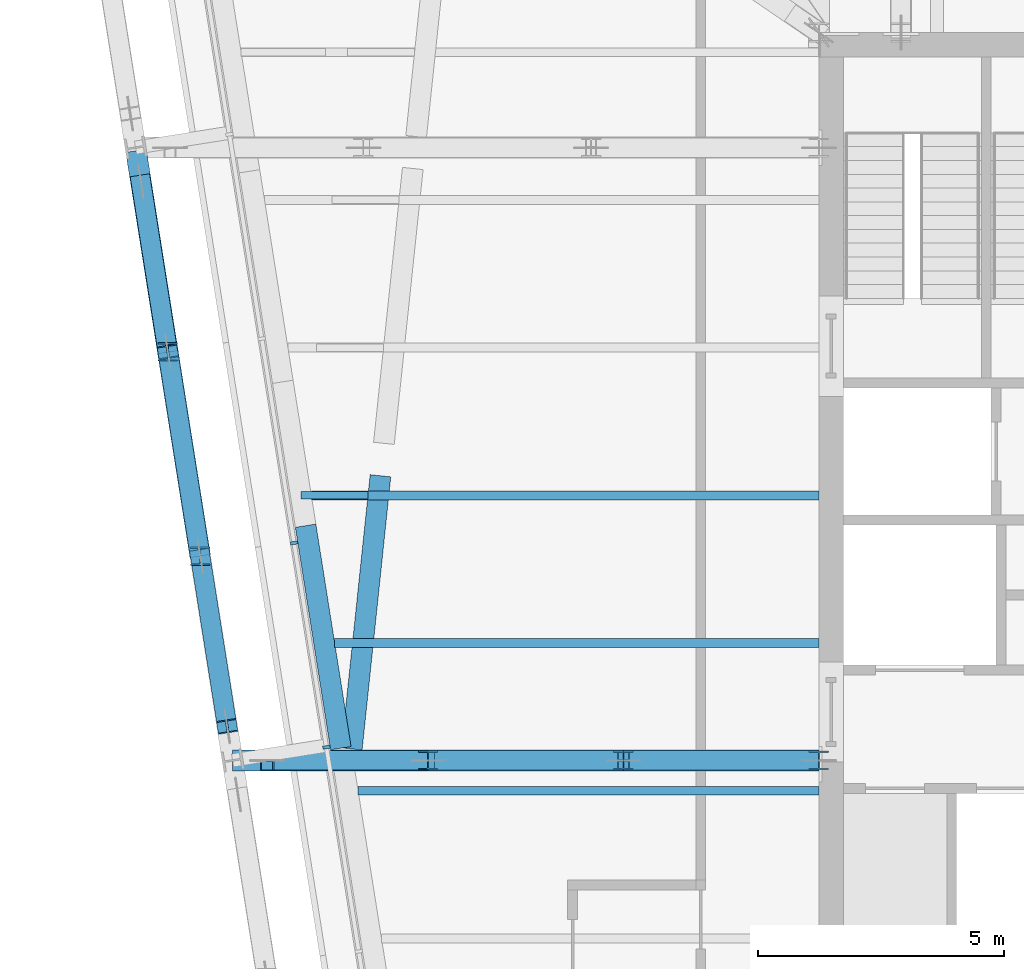
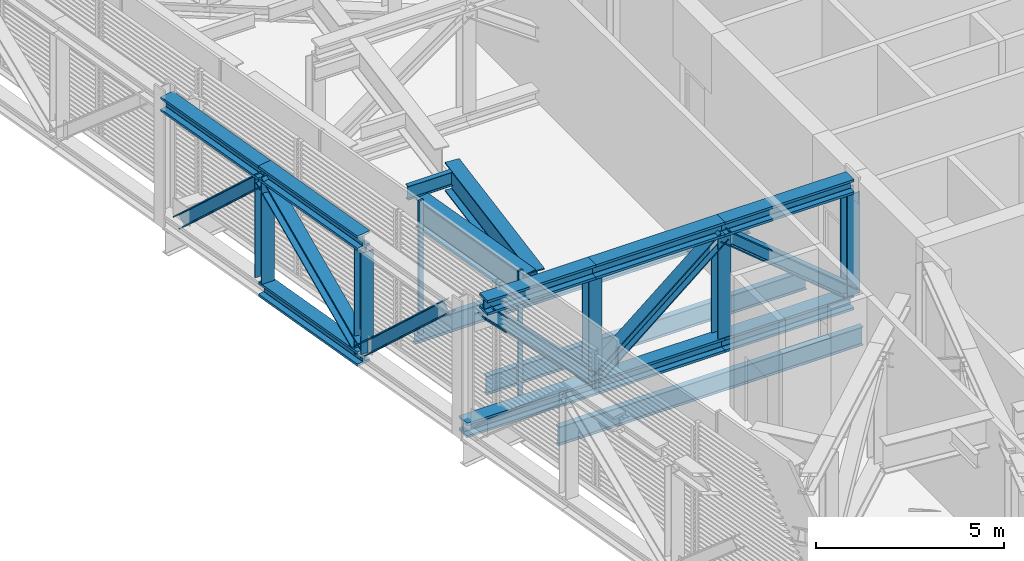
# One storey, part 5 of 32: 15 beams, 13 members, 1 element without a shape of its own.
"""IFC4 building model written with IfcOpenShell, lengths in metres."""

from ifc_helpers import new_model, si_unit, direction, frame, origin, origin_2d, place, context, subcontext, project, spatial, rectangle, i_section, extrude, material, layer, layer_set, material_profile, profile_set, type_object, element, aggregate, save


model = new_model("IFC4")

# Units and contexts
model_context = context("Model", 3, precision=1e-05, world=origin(), true_north=direction((0.0, 1.0)))
body_context = subcontext(model_context, "Body", "Model", "MODEL_VIEW")
ifc_project = project(units=[si_unit("LENGTHUNIT", "METRE"), si_unit("AREAUNIT", "SQUARE_METRE"), si_unit("VOLUMEUNIT", "CUBIC_METRE"), si_unit("PLANEANGLEUNIT", "RADIAN"), si_unit("MASSUNIT", "GRAM", prefix="KILO")], contexts=[model_context])

# Site, building, storey
site_placement = place(None, origin())
site = spatial("IfcSite", under=ifc_project, at=site_placement, CompositionType="ELEMENT")
building_placement = place(site_placement, origin())
building = spatial("IfcBuilding", under=site, at=building_placement, Name="Millrace Tower", CompositionType="ELEMENT")
storey_placement = place(building_placement, frame((0.0, 0.0, 266.89990234375)))
storey = spatial("IfcBuildingStorey", under=building, at=storey_placement, Name="L61", CompositionType="ELEMENT", Elevation=266.89990234375)

# Beams
ifc_material_1 = material(Name="Steel ASTM A992 Grade 50", Category="steel")
ifc_material_profile_1 = material_profile(ifc_material_1, i_section(OverallWidth=0.424072265625, OverallDepth=0.47509765625, WebThickness=0.0478515625, FlangeThickness=0.0771484375, FilletRadius=0.014892578125, at=origin_2d()))
ifc_profile_set_1 = profile_set([ifc_material_profile_1], Name="Steel ASTM A992 Grade 50")
beam_type_1 = type_object("IfcBeamType", Name="Belt truss chord W14x426", PredefinedType="BEAM", material=ifc_profile_set_1)
for number, where, z_axis, x_axis, name in (
    (1, (-27.62060546875, 2.913330078125, 0.237548828125), (0.156419245009, -0.987690751091, 0.0), (0.987690751091, 0.156419245009, 0.0), "BLT-L61-R15-B02"),
    (2, (-27.62060546875, 2.913330078125, 4.002685546875), (0.156419245009, -0.987690751091, 0.0), (0.987690751091, 0.156419245009, 0.0), "BLT-L61-R15-T02"),
):
    element("IfcBeam", number, at=place(storey_placement, frame(where, z_axis=z_axis, x_axis=x_axis)), inside=storey, type_object=beam_type_1, Name=name, PredefinedType="BEAM", context=body_context, shape_type="SweptSolid", body=[
        extrude(i_section(OverallWidth=0.424072265625, OverallDepth=0.47509765625, WebThickness=0.0478515625, FlangeThickness=0.0771484375, FilletRadius=0.014892578125, at=origin_2d()), origin(), (0.0, 0.0, 1.0), 4.2001953125),
    ])
beam_1_placement = place(storey_placement, frame((-28.267578125, 6.996826171875, 4.002685546875), z_axis=(0.15648411224, -0.987680475972, 0.0), x_axis=(0.987680475972, 0.15648411224, 0.0)))
element("IfcBeam", 3, at=beam_1_placement, inside=storey, type_object=beam_type_1, Name="BLT-L61-R15-T01", PredefinedType="BEAM", context=body_context, shape_type="SweptSolid", body=[
    extrude(i_section(OverallWidth=0.424072265625, OverallDepth=0.47509765625, WebThickness=0.0478515625, FlangeThickness=0.0771484375, FilletRadius=0.014892578125, at=origin_2d()), origin(), (0.0, 0.0, 1.0), 4.134521484375),
])

# Members
ifc_material_2 = material(Name="Steel ASTM A992 Grade 50", Category="steel")
ifc_material_profile_2 = material_profile(ifc_material_2, i_section(OverallWidth=0.398681640625, OverallDepth=0.385986328125, WebThickness=0.02099609375, FlangeThickness=0.033203125, FilletRadius=0.01513671875, at=origin_2d()))
ifc_profile_set_2 = profile_set([ifc_material_profile_2], Name="Steel ASTM A992 Grade 50")
member_type_1 = type_object("IfcMemberType", Name="Belt truss diagonal W14x176", PredefinedType="BRACE", material=ifc_profile_set_2)
member_1_placement = place(storey_placement, frame((-28.168212890625, 6.3701171875, 0.47509765625), z_axis=(0.114001763677, -0.719639309811, 0.684925442405), x_axis=(0.987683654859, 0.156464046744, 0.0)))
element("IfcMember", 4, at=member_1_placement, inside=storey, type_object=member_type_1, Name="BLT-L61-R15-D01", PredefinedType="BRACE", context=body_context, shape_type="SweptSolid", body=[
    extrude(i_section(OverallWidth=0.398681640625, OverallDepth=0.385986328125, WebThickness=0.02099609375, FlangeThickness=0.033203125, FilletRadius=0.01513671875, at=origin_2d()), origin(), (0.0, 0.0, 1.0), 4.803466796875),
])
member_2_placement = place(storey_placement, frame((-26.963623046875, -1.235107421875, 0.47509765625), z_axis=(-0.123138600844, 0.777544074893, 0.616653952052), x_axis=(-0.987690751091, -0.156419245009, 0.0)))
element("IfcMember", 5, at=member_2_placement, inside=storey, type_object=member_type_1, Name="BLT-L61-R15-D02", PredefinedType="BRACE", context=body_context, shape_type="SweptSolid", body=[
    extrude(i_section(OverallWidth=0.398681640625, OverallDepth=0.385986328125, WebThickness=0.02099609375, FlangeThickness=0.033203125, FilletRadius=0.01513671875, at=origin_2d()), origin(), (0.0, 0.0, 1.0), 5.335205078125),
])
member_3_placement = place(storey_placement, frame((-26.963623046875, -1.235107421875, 0.47509765625), z_axis=(0.113951598216, -0.719643478655, 0.684929410153), x_axis=(0.987694432607, 0.156395996744, 0.0)))
element("IfcMember", 6, at=member_3_placement, inside=storey, type_object=member_type_1, Name="BLT-L61-R15-D03", PredefinedType="BRACE", context=body_context, shape_type="SweptSolid", body=[
    extrude(i_section(OverallWidth=0.398681640625, OverallDepth=0.385986328125, WebThickness=0.02099609375, FlangeThickness=0.033203125, FilletRadius=0.01513671875, at=origin_2d()), origin(), (0.0, 0.0, 1.0), 4.803466796875),
])
ifc_material_3 = material(Name="Steel ASTM A992 Grade 50", Category="steel")
ifc_material_profile_3 = material_profile(ifc_material_3, i_section(OverallWidth=0.393798828125, OverallDepth=0.3759765625, WebThickness=0.017333984375, FlangeThickness=0.027587890625, FilletRadius=0.01513671875, at=origin_2d()))
ifc_profile_set_3 = profile_set([ifc_material_profile_3], Name="Steel ASTM A992 Grade 50")
member_type_2 = type_object("IfcMemberType", Name="Belt truss post W14x145", PredefinedType="POST", material=ifc_profile_set_3)
for number, where, z_axis, x_axis, name in (
    (7, (-27.62060546875, 2.913330078125, 0.47509765625), (0.0, 0.0, 1.0), (1.0, 0.0, 0.0), "BLT-L61-R15-V01"),
    (8, (-26.963623046875, -1.235107421875, 0.47509765625), (0.0, 0.0, 1.0), (1.0, 0.0, 0.0), "BLT-L61-R15-V02"),
):
    element("IfcMember", number, at=place(storey_placement, frame(where, z_axis=z_axis, x_axis=x_axis)), inside=storey, type_object=member_type_2, Name=name, PredefinedType="POST", context=body_context, shape_type="SweptSolid", body=[
        extrude(i_section(OverallWidth=0.393798828125, OverallDepth=0.3759765625, WebThickness=0.017333984375, FlangeThickness=0.027587890625, FilletRadius=0.01513671875, at=origin_2d()), origin(), (0.0, 0.0, 1.0), 3.2900390625),
    ])

# Curtain wall, members
ifc_material_4 = material(Name="Aluminium and glass", Category="aluminium")
ifc_layer = layer(ifc_material_4, 0.14990234375)
ifc_layer_set = layer_set([ifc_layer], Name="Aluminium and glass")
curtain_wall_type = type_object("IfcCurtainWallType", Name="CW-5 truss and plant storey louvred infill", PredefinedType="NOTDEFINED", material=ifc_layer_set)
curtain_wall_placement = place(storey_placement, origin())
curtain_wall = element("IfcCurtainWall", 9, at=curtain_wall_placement, inside=storey, type_object=curtain_wall_type, Name="Curtain wall D-F08 L61", PredefinedType="NOTDEFINED")
ifc_material_5 = material(Name="Aluminium", Category="aluminium")
ifc_material_profile_4 = material_profile(ifc_material_5, rectangle(XDim=0.06494140625, YDim=0.14990234375, at=origin_2d()))
ifc_profile_set_4 = profile_set([ifc_material_profile_4], Name="Aluminium")
member_type_3 = type_object("IfcMemberType", Name="CW-5 truss and plant storey louvred infill mullion", PredefinedType="MULLION", material=ifc_profile_set_4)
member_4_placement = place(storey_placement, frame((-25.057373046875, -0.966064453125, 0.14013671875), z_axis=(0.0, 0.0, 1.0), x_axis=(0.156434471884, -0.987688339511, 0.0)))
member_4 = element("IfcMember", 10, at=member_4_placement, type_object=member_type_3, Name="CW5 mullion D-F08.6", PredefinedType="MULLION", context=body_context, shape_type="SweptSolid", body=[
    extrude(rectangle(XDim=0.06494140625, YDim=0.14990234375, at=origin_2d()), origin(), (0.0, 0.0, 1.0), 4.35986328125),
])
member_5_placement = place(storey_placement, frame((-24.400390625, -5.1142578125, 0.14013671875), z_axis=(0.0, 0.0, 1.0), x_axis=(0.156434471884, -0.987688339511, 0.0)))
member_5 = element("IfcMember", 11, at=member_5_placement, type_object=member_type_3, Name="CW5 mullion D-F08.7", PredefinedType="MULLION", context=body_context, shape_type="SweptSolid", body=[
    extrude(rectangle(XDim=0.06494140625, YDim=0.14990234375, at=origin_2d()), origin(), (0.0, 0.0, 1.0), 4.35986328125),
])
aggregate(curtain_wall, [member_4, member_5])

# Beams
ifc_material_6 = material(Name="Steel ASTM A992 Grade 50", Category="steel")
ifc_material_profile_5 = material_profile(ifc_material_6, i_section(OverallWidth=0.15234375, OverallDepth=0.449462890625, WebThickness=0.007568359375, FlangeThickness=0.0107421875, FilletRadius=0.01025390625, at=origin_2d()))
ifc_profile_set_5 = profile_set([ifc_material_profile_5], Name="Steel ASTM A992 Grade 50")
beam_type_2 = type_object("IfcBeamType", Name="Floor beam W18x35", PredefinedType="JOIST", material=ifc_profile_set_5)
beam_2_placement = place(storey_placement, frame((-24.91943359375, 0.0, 4.115234375), z_axis=(1.0, 0.0, 0.0), x_axis=(0.0, 1.0, 0.0)))
element("IfcBeam", 12, at=beam_2_placement, inside=storey, type_object=beam_type_2, Name="BM-D-L61-R1-S001", PredefinedType="JOIST", context=body_context, shape_type="SweptSolid", body=[
    extrude(i_section(OverallWidth=0.15234375, OverallDepth=0.449462890625, WebThickness=0.007568359375, FlangeThickness=0.0107421875, FilletRadius=0.01025390625, at=origin_2d()), origin(), (0.0, 0.0, 1.0), 1.363037109375),
])
ifc_material_7 = material(Name="Steel ASTM A992 Grade 50", Category="steel")
ifc_material_profile_6 = material_profile(ifc_material_7, i_section(OverallWidth=0.177978515625, OverallDepth=0.599365234375, WebThickness=0.010009765625, FlangeThickness=0.012939453125, FilletRadius=0.012939453125, at=origin_2d()))
ifc_profile_set_6 = profile_set([ifc_material_profile_6], Name="Steel ASTM A992 Grade 50")
beam_type_3 = type_object("IfcBeamType", Name="Floor beam W24x55", PredefinedType="JOIST", material=ifc_profile_set_6)
beam_3_placement = place(storey_placement, frame((-23.757080078125, -6.0, -0.549560546875), z_axis=(1.0, 0.0, 0.0), x_axis=(0.0, 1.0, 0.0)))
element("IfcBeam", 13, at=beam_3_placement, inside=storey, type_object=beam_type_3, Name="BM-D-L61-S1-S009", PredefinedType="JOIST", context=body_context, shape_type="SweptSolid", body=[
    extrude(i_section(OverallWidth=0.177978515625, OverallDepth=0.599365234375, WebThickness=0.010009765625, FlangeThickness=0.012939453125, FilletRadius=0.012939453125, at=origin_2d()), origin(), (0.0, 0.0, 1.0), 9.357177734375),
])
beam_4_placement = place(storey_placement, frame((-24.232421875, -3.0, -0.549560546875), z_axis=(1.0, 0.0, 0.0), x_axis=(0.0, 1.0, 0.0)))
element("IfcBeam", 14, at=beam_4_placement, inside=storey, type_object=beam_type_3, Name="BM-D-L61-S1-S012", PredefinedType="JOIST", context=body_context, shape_type="SweptSolid", body=[
    extrude(i_section(OverallWidth=0.177978515625, OverallDepth=0.599365234375, WebThickness=0.010009765625, FlangeThickness=0.012939453125, FilletRadius=0.012939453125, at=origin_2d()), origin(), (0.0, 0.0, 1.0), 9.83251953125),
])
ifc_material_8 = material(Name="Steel ASTM A992 Grade 50", Category="steel")
ifc_material_profile_7 = material_profile(ifc_material_8, i_section(OverallWidth=0.1787109375, OverallDepth=0.60205078125, WebThickness=0.010986328125, FlangeThickness=0.014892578125, FilletRadius=0.0126953125, at=origin_2d()))
ifc_profile_set_7 = profile_set([ifc_material_profile_7], Name="Steel ASTM A992 Grade 50")
beam_type_4 = type_object("IfcBeamType", Name="Floor beam W24x62", PredefinedType="JOIST", material=ifc_profile_set_7)
beam_5_placement = place(storey_placement, frame((-24.70751953125, 0.0, -0.55078125), z_axis=(1.0, 0.0, 0.0), x_axis=(0.0, 1.0, 0.0)))
element("IfcBeam", 15, at=beam_5_placement, inside=storey, type_object=beam_type_4, Name="BM-D-L61-S1-S015", PredefinedType="JOIST", context=body_context, shape_type="SweptSolid", body=[
    extrude(i_section(OverallWidth=0.1787109375, OverallDepth=0.60205078125, WebThickness=0.010986328125, FlangeThickness=0.014892578125, FilletRadius=0.0126953125, at=origin_2d()), origin(), (0.0, 0.0, 1.0), 10.3076171875),
])
ifc_material_9 = material(Name="Steel ASTM A992 Grade 50", Category="steel")
ifc_material_profile_8 = material_profile(ifc_material_9, i_section(OverallWidth=0.424072265625, OverallDepth=0.47509765625, WebThickness=0.0478515625, FlangeThickness=0.0771484375, FilletRadius=0.014892578125, at=origin_2d()))
ifc_profile_set_8 = profile_set([ifc_material_profile_8], Name="Steel ASTM A992 Grade 50")
beam_type_5 = type_object("IfcBeamType", Name="Outrigger truss chord W14x426", PredefinedType="BEAM", material=ifc_profile_set_8)
for number, where, z_axis, x_axis, name in (
    (16, (-14.39990234375, -5.38330078125, 0.237548828125), (-1.0, 0.0, 0.0), (0.0, -1.0, 0.0), "BLT-L61-O16-B01"),
    (17, (-14.39990234375, -5.38330078125, 4.002685546875), (-1.0, 0.0, 0.0), (0.0, -1.0, 0.0), "BLT-L61-O16-T01"),
    (18, (-18.368896484375, -5.38330078125, 0.237548828125), (-1.0, 0.0, 0.0), (0.0, -1.0, 0.0), "BLT-L61-O16-B02"),
    (19, (-18.368896484375, -5.38330078125, 4.002685546875), (-1.0, 0.0, 0.0), (0.0, -1.0, 0.0), "BLT-L61-O16-T02"),
):
    element("IfcBeam", number, at=place(storey_placement, frame(where, z_axis=z_axis, x_axis=x_axis)), inside=storey, type_object=beam_type_5, Name=name, PredefinedType="BEAM", context=body_context, shape_type="SweptSolid", body=[
        extrude(i_section(OverallWidth=0.424072265625, OverallDepth=0.47509765625, WebThickness=0.0478515625, FlangeThickness=0.0771484375, FilletRadius=0.014892578125, at=origin_2d()), origin(), (0.0, 0.0, 1.0), 3.968994140625),
    ])
beam_6_placement = place(storey_placement, frame((-22.337890625, -5.38330078125, 0.237548828125), z_axis=(-1.0, 0.0, 0.0), x_axis=(0.0, -1.0, 0.0)))
element("IfcBeam", 20, at=beam_6_placement, inside=storey, type_object=beam_type_5, Name="BLT-L61-O16-B03", PredefinedType="BEAM", context=body_context, shape_type="SweptSolid", body=[
    extrude(i_section(OverallWidth=0.424072265625, OverallDepth=0.47509765625, WebThickness=0.0478515625, FlangeThickness=0.0771484375, FilletRadius=0.014892578125, at=origin_2d()), origin(), (0.0, 0.0, 1.0), 3.96875),
])
beam_7_placement = place(storey_placement, frame((-22.337890625, -5.38330078125, 4.002685546875), z_axis=(-1.0, 0.0, 0.0), x_axis=(0.0, -1.0, 0.0)))
element("IfcBeam", 21, at=beam_7_placement, inside=storey, type_object=beam_type_5, Name="BLT-L61-O16-T03", PredefinedType="BEAM", context=body_context, shape_type="SweptSolid", body=[
    extrude(i_section(OverallWidth=0.424072265625, OverallDepth=0.47509765625, WebThickness=0.0478515625, FlangeThickness=0.0771484375, FilletRadius=0.014892578125, at=origin_2d()), origin(), (0.0, 0.0, 1.0), 3.3388671875),
])

# Members
ifc_material_10 = material(Name="Steel ASTM A992 Grade 50", Category="steel")
ifc_material_profile_9 = material_profile(ifc_material_10, i_section(OverallWidth=0.398681640625, OverallDepth=0.385986328125, WebThickness=0.02099609375, FlangeThickness=0.033203125, FilletRadius=0.01513671875, at=origin_2d()))
ifc_profile_set_9 = profile_set([ifc_material_profile_9], Name="Steel ASTM A992 Grade 50")
member_type_4 = type_object("IfcMemberType", Name="Outrigger truss diagonal W14x176", PredefinedType="BRACE", material=ifc_profile_set_9)
for number, where, z_axis, x_axis, name in (
    (22, (-14.39990234375, -5.38330078125, 0.47509765625), (-0.769883941588, 0.0, 0.638183920578), (0.0, -1.0, 0.0), "BLT-L61-O16-D01"),
    (23, (-22.337890625, -5.38330078125, 0.47509765625), (0.769883941588, 0.0, 0.638183920578), (0.0, 1.0, 0.0), "BLT-L61-O16-D02"),
):
    element("IfcMember", number, at=place(storey_placement, frame(where, z_axis=z_axis, x_axis=x_axis)), inside=storey, type_object=member_type_4, Name=name, PredefinedType="BRACE", context=body_context, shape_type="SweptSolid", body=[
        extrude(i_section(OverallWidth=0.398681640625, OverallDepth=0.385986328125, WebThickness=0.02099609375, FlangeThickness=0.033203125, FilletRadius=0.01513671875, at=origin_2d()), origin(), (0.0, 0.0, 1.0), 5.1552734375),
    ])
member_6_placement = place(storey_placement, frame((-22.337890625, -5.38330078125, 0.47509765625), z_axis=(-0.704813180686, 0.0, 0.709392966086), x_axis=(0.0, -1.0, 0.0)))
element("IfcMember", 24, at=member_6_placement, inside=storey, type_object=member_type_4, Name="BLT-L61-O16-D03", PredefinedType="BRACE", context=body_context, shape_type="SweptSolid", body=[
    extrude(i_section(OverallWidth=0.398681640625, OverallDepth=0.385986328125, WebThickness=0.02099609375, FlangeThickness=0.033203125, FilletRadius=0.01513671875, at=origin_2d()), origin(), (0.0, 0.0, 1.0), 4.637939453125),
])
ifc_material_11 = material(Name="Steel ASTM A992 Grade 50", Category="steel")
ifc_material_profile_10 = material_profile(ifc_material_11, i_section(OverallWidth=0.393798828125, OverallDepth=0.3759765625, WebThickness=0.017333984375, FlangeThickness=0.027587890625, FilletRadius=0.01513671875, at=origin_2d()))
ifc_profile_set_10 = profile_set([ifc_material_profile_10], Name="Steel ASTM A992 Grade 50")
member_type_5 = type_object("IfcMemberType", Name="Outrigger truss post W14x145", PredefinedType="POST", material=ifc_profile_set_10)
for number, where, z_axis, x_axis, name in (
    (25, (-14.39990234375, -5.38330078125, 0.47509765625), (0.0, 0.0, 1.0), (1.0, 0.0, 0.0), "BLT-L61-O16-V00"),
    (26, (-18.368896484375, -5.38330078125, 0.47509765625), (0.0, 0.0, 1.0), (1.0, 0.0, 0.0), "BLT-L61-O16-V01"),
    (27, (-22.337890625, -5.38330078125, 0.47509765625), (0.0, 0.0, 1.0), (1.0, 0.0, 0.0), "BLT-L61-O16-V02"),
):
    element("IfcMember", number, at=place(storey_placement, frame(where, z_axis=z_axis, x_axis=x_axis)), inside=storey, type_object=member_type_5, Name=name, PredefinedType="POST", context=body_context, shape_type="SweptSolid", body=[
        extrude(i_section(OverallWidth=0.393798828125, OverallDepth=0.3759765625, WebThickness=0.017333984375, FlangeThickness=0.027587890625, FilletRadius=0.01513671875, at=origin_2d()), origin(), (0.0, 0.0, 1.0), 3.2900390625),
    ])

# Beams
ifc_material_12 = material(Name="Steel ASTM A992 Grade 50", Category="steel")
ifc_material_profile_11 = material_profile(ifc_material_12, i_section(OverallWidth=0.421630859375, OverallDepth=0.937255859375, WebThickness=0.021240234375, FlangeThickness=0.03662109375, FilletRadius=0.024169921875, at=origin_2d()))
ifc_profile_set_11 = profile_set([ifc_material_profile_11], Name="Steel ASTM A992 Grade 50")
beam_type_6 = type_object("IfcBeamType", Name="Ring beam short span W36x262", PredefinedType="SPANDREL", material=ifc_profile_set_11)
beam_8_placement = place(storey_placement, frame((-24.107666015625, -5.134765625, 3.87158203125), z_axis=(-0.156422967711, 0.987690161525, 0.0), x_axis=(-0.987690161525, -0.156422967711, 0.0)))
element("IfcBeam", 28, at=beam_8_placement, inside=storey, type_object=beam_type_6, Name="RNG-D-L61-R1-04", PredefinedType="SPANDREL", context=body_context, shape_type="SweptSolid", body=[
    extrude(i_section(OverallWidth=0.421630859375, OverallDepth=0.937255859375, WebThickness=0.021240234375, FlangeThickness=0.03662109375, FilletRadius=0.024169921875, at=origin_2d()), origin(), (0.0, 0.0, 1.0), 4.57470703125),
])
beam_9_placement = place(storey_placement, frame((-23.302734375, 0.39794921875, 3.87158203125), z_axis=(-0.104529838946, -0.994521750778, 0.0), x_axis=(0.994521750778, -0.104529838946, 0.0)))
element("IfcBeam", 29, at=beam_9_placement, inside=storey, type_object=beam_type_6, Name="RNG-D-L61-R1-03-b-b-b-b", PredefinedType="SPANDREL", context=body_context, shape_type="SweptSolid", body=[
    extrude(i_section(OverallWidth=0.421630859375, OverallDepth=0.937255859375, WebThickness=0.021240234375, FlangeThickness=0.03662109375, FilletRadius=0.024169921875, at=origin_2d()), origin(), (0.0, 0.0, 1.0), 5.577392578125),
])

save(model, "model.ifc")
